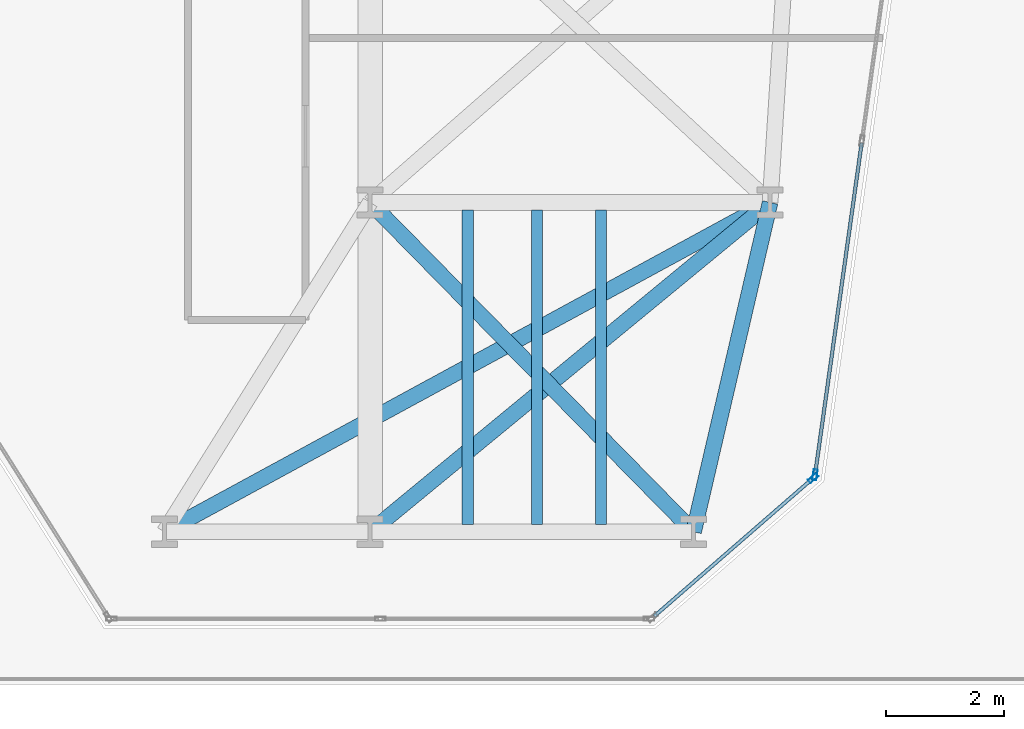
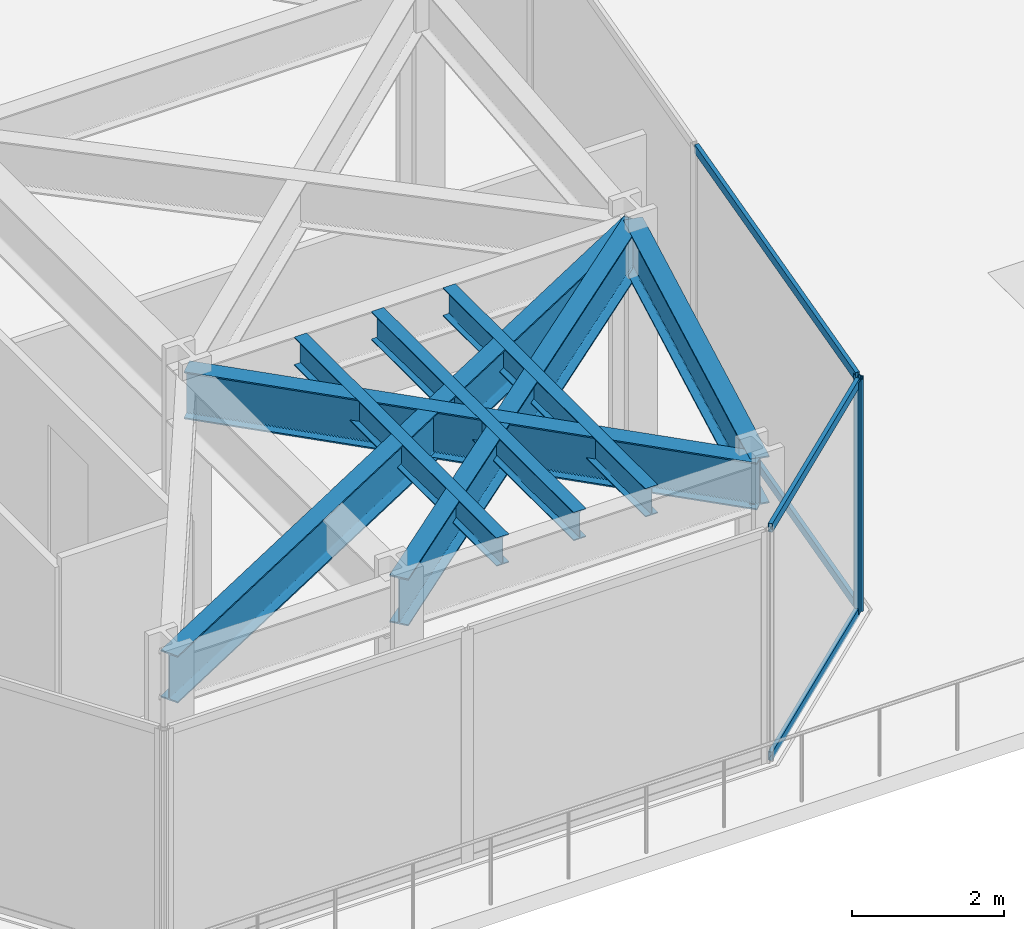
# One storey, part 9 of 25: 7 beams, 6 members, 2 elements without a shape of their own.
"""IFC4 building model written with IfcOpenShell, lengths in metres."""

from ifc_helpers import new_model, si_unit, direction, frame, origin, origin_2d, place, context, subcontext, project, spatial, hollow_rectangle, i_section, extrude, material, layer, layer_set, material_profile, profile_set, type_object, element, aggregate, save


model = new_model("IFC4")

# Units and contexts
model_context = context("Model", 3, precision=1e-05, world=origin(), true_north=direction((0.0, 1.0)))
body_context = subcontext(model_context, "Body", "Model", "MODEL_VIEW")
ifc_project = project(units=[si_unit("LENGTHUNIT", "METRE"), si_unit("AREAUNIT", "SQUARE_METRE"), si_unit("VOLUMEUNIT", "CUBIC_METRE"), si_unit("PLANEANGLEUNIT", "RADIAN"), si_unit("MASSUNIT", "GRAM", prefix="KILO")], contexts=[model_context])

# Site, building, storey
site_placement = place(None, origin())
site = spatial("IfcSite", under=ifc_project, at=site_placement, CompositionType="ELEMENT")
building_placement = place(site_placement, origin())
building = spatial("IfcBuilding", under=site, at=building_placement, Name="Kravanh Interchange Tower", CompositionType="ELEMENT")
storey_placement = place(building_placement, frame((0.0, 0.0, 29.5)))
storey = spatial("IfcBuildingStorey", under=building, at=storey_placement, Name="L06", CompositionType="ELEMENT", Elevation=29.5)

# Curtain wall, member
ifc_material_1 = material(Name="Anodised Bronze Aluminium", Category="aluminium")
ifc_layer = layer(ifc_material_1, 0.179931640625)
ifc_layer_set = layer_set([ifc_layer], Name="Unitised Curtain Wall System CW-Z1 Lower Office")
curtain_wall_type = type_object("IfcCurtainWallType", Name="Unitised Curtain Wall System CW-Z1 Lower Office", PredefinedType="NOTDEFINED", material=ifc_layer_set)
curtain_wall_1_placement = place(storey_placement, origin())
curtain_wall_1 = element("IfcCurtainWall", 1, at=curtain_wall_1_placement, inside=storey, type_object=curtain_wall_type, Name="L06 Unitised Curtain Wall CW-L06-01", PredefinedType="NOTDEFINED")
ifc_material_2 = material(Name="Anodised Bronze Aluminium", Category="aluminium")
ifc_material_profile_1 = material_profile(ifc_material_2, hollow_rectangle(XDim=0.070068359375, YDim=0.179931640625, WallThickness=0.00390625, at=origin_2d()), Name="ALU70X180X4")
ifc_profile_set_1 = profile_set([ifc_material_profile_1], Name="Anodised Bronze Aluminium")
member_type_1 = type_object("IfcMemberType", Name="Curtain Wall Mullion ALU70X180X4 Bronze", PredefinedType="MULLION", material=ifc_profile_set_1)
member_1_placement = place(storey_placement, frame((63.564453125, 3.571533203125, 0.0), z_axis=(0.0, 0.0, 1.0), x_axis=(0.990267585682, -0.139176538065, 0.0)))
member_1 = element("IfcMember", 2, at=member_1_placement, type_object=member_type_1, Name="CW-Z1 mullion 7", PredefinedType="MULLION", context=body_context, shape_type="SweptSolid", body=[
    extrude(hollow_rectangle(XDim=0.070068359375, YDim=0.179931640625, WallThickness=0.00390625, at=origin_2d()), origin(), (0.0, 0.0, 1.0), 3.739990234375),
])

curtain_wall_2_placement = place(storey_placement, origin())
curtain_wall_2 = element("IfcCurtainWall", 3, at=curtain_wall_2_placement, inside=storey, type_object=curtain_wall_type, Name="L06 Unitised Curtain Wall CW-L06-02", PredefinedType="NOTDEFINED")
member_2_placement = place(storey_placement, frame((63.533203125, 3.513916015625, 0.0), z_axis=(0.0, 0.0, 1.0), x_axis=(0.656060422341, -0.754708368999, 0.0)))
member_2 = element("IfcMember", 4, at=member_2_placement, type_object=member_type_1, Name="CW-Z1 mullion 1", PredefinedType="MULLION", context=body_context, shape_type="SweptSolid", body=[
    extrude(hollow_rectangle(XDim=0.070068359375, YDim=0.179931640625, WallThickness=0.00390625, at=origin_2d()), origin(), (0.0, 0.0, 1.0), 3.739990234375),
])

# Member
ifc_material_3 = material(Name="Anodised Bronze Aluminium", Category="aluminium")
ifc_material_profile_2 = material_profile(ifc_material_3, hollow_rectangle(XDim=0.06005859375, YDim=0.139892578125, WallThickness=0.00390625, at=origin_2d()), Name="ALU60X140X4")
ifc_profile_set_2 = profile_set([ifc_material_profile_2], Name="Anodised Bronze Aluminium")
member_type_2 = type_object("IfcMemberType", Name="Curtain Wall Transom ALU60X140X4 Bronze", PredefinedType="USERDEFINED", material=ifc_profile_set_2)
member_3_placement = place(storey_placement, frame((64.357421875, 9.212646484375, 0.030029296875), z_axis=(-0.139199330487, -0.990264382068, 0.0), x_axis=(0.990264382068, -0.139199330487, 0.0)))
member_3 = element("IfcMember", 5, at=member_3_placement, type_object=member_type_2, Name="CW-Z1 transom 6.1", ObjectType="TRANSOM", PredefinedType="USERDEFINED", context=body_context, shape_type="SweptSolid", body=[
    extrude(hollow_rectangle(XDim=0.06005859375, YDim=0.139892578125, WallThickness=0.00390625, at=origin_2d()), origin(), (0.0, 0.0, 1.0), 5.66162109375),
])

member_4_placement = place(storey_placement, frame((64.357421875, 9.212646484375, 3.7099609375), z_axis=(-0.139199330487, -0.990264382068, 0.0), x_axis=(0.990264382068, -0.139199330487, 0.0)))
member_4 = element("IfcMember", 6, at=member_4_placement, type_object=member_type_2, Name="CW-Z1 transom 6.2", ObjectType="TRANSOM", PredefinedType="USERDEFINED", context=body_context, shape_type="SweptSolid", body=[
    extrude(hollow_rectangle(XDim=0.06005859375, YDim=0.139892578125, WallThickness=0.00390625, at=origin_2d()), origin(), (0.0, 0.0, 1.0), 5.66162109375),
])

aggregate(curtain_wall_1, [member_1, member_3, member_4])

member_5_placement = place(storey_placement, frame((63.5068359375, 3.490966796875, 0.030029296875), z_axis=(-0.754710815466, -0.656057608004, 0.0), x_axis=(0.656057608004, -0.754710815466, 0.0)))
member_5 = element("IfcMember", 7, at=member_5_placement, type_object=member_type_2, Name="CW-Z1 transom 1.1", ObjectType="TRANSOM", PredefinedType="USERDEFINED", context=body_context, shape_type="SweptSolid", body=[
    extrude(hollow_rectangle(XDim=0.06005859375, YDim=0.139892578125, WallThickness=0.00390625, at=origin_2d()), origin(), (0.0, 0.0, 1.0), 3.543701171875),
])

member_6_placement = place(storey_placement, frame((63.5068359375, 3.490966796875, 3.7099609375), z_axis=(-0.754710815466, -0.656057608004, 0.0), x_axis=(0.656057608004, -0.754710815466, 0.0)))
member_6 = element("IfcMember", 8, at=member_6_placement, type_object=member_type_2, Name="CW-Z1 transom 1.2", ObjectType="TRANSOM", PredefinedType="USERDEFINED", context=body_context, shape_type="SweptSolid", body=[
    extrude(hollow_rectangle(XDim=0.06005859375, YDim=0.139892578125, WallThickness=0.00390625, at=origin_2d()), origin(), (0.0, 0.0, 1.0), 3.543701171875),
])

aggregate(curtain_wall_2, [member_2, member_5, member_6])

# Beams
ifc_material_4 = material(Name="Structural Steel S355", Category="steel")
ifc_material_profile_3 = material_profile(ifc_material_4, i_section(OverallWidth=0.18994140625, OverallDepth=0.45703125, WebThickness=0.009033203125, FlangeThickness=0.014404296875, FilletRadius=0.01806640625, at=origin_2d()), Name="W18X50")
ifc_profile_set_3 = profile_set([ifc_material_profile_3], Name="Structural Steel S355")
beam_type_1 = type_object("IfcBeamType", Name="Floor Joist W18X50 Structural Steel S355", PredefinedType="JOIST", material=ifc_profile_set_3)
for number, where, z_axis, x_axis, name in (
    (9, (57.657958984375, 2.728515625, 3.511474609375), (0.0, 1.0, 0.0), (-1.0, 0.0, 0.0), "L06 Secondary Floor Joist 7"),
    (10, (58.833984375, 2.728515625, 3.511474609375), (0.0, 1.0, 0.0), (-1.0, 0.0, 0.0), "L06 Secondary Floor Joist 8"),
    (11, (59.926025390625, 2.728515625, 3.511474609375), (0.0, 1.0, 0.0), (-1.0, 0.0, 0.0), "L06 Secondary Floor Joist 9"),
):
    element("IfcBeam", number, at=place(storey_placement, frame(where, z_axis=z_axis, x_axis=x_axis)), inside=storey, type_object=beam_type_1, Name=name, PredefinedType="JOIST", context=body_context, shape_type="SweptSolid", body=[
        extrude(i_section(OverallWidth=0.18994140625, OverallDepth=0.45703125, WebThickness=0.009033203125, FlangeThickness=0.014404296875, FilletRadius=0.01806640625, at=origin_2d()), origin(), (0.0, 0.0, 1.0), 5.343017578125),
    ])
ifc_material_5 = material(Name="Structural Steel S355", Category="steel")
ifc_material_profile_4 = material_profile(ifc_material_5, i_section(OverallWidth=0.26708984375, OverallDepth=0.761962890625, WebThickness=0.014404296875, FlangeThickness=0.021484375, FilletRadius=0.02490234375, at=origin_2d()), Name="W30X116")
ifc_profile_set_4 = profile_set([ifc_material_profile_4], Name="Structural Steel S355")
beam_type_2 = type_object("IfcBeamType", Name="Floor Spandrel W30X116 Structural Steel S355", PredefinedType="SPANDREL", material=ifc_profile_set_4)
beam_1_placement = place(storey_placement, frame((52.5, 2.60009765625, 3.35888671875), z_axis=(0.878552895081, 0.47764506754, 0.0), x_axis=(-0.47764506754, 0.878552895081, 0.0)))
element("IfcBeam", 12, at=beam_1_placement, inside=storey, type_object=beam_type_2, Name="L06 Perimeter Spandrel 127", PredefinedType="SPANDREL", context=body_context, shape_type="SweptSolid", body=[
    extrude(i_section(OverallWidth=0.26708984375, OverallDepth=0.761962890625, WebThickness=0.014404296875, FlangeThickness=0.021484375, FilletRadius=0.02490234375, at=origin_2d()), origin(), (0.0, 0.0, 1.0), 11.723876953125),
])
beam_2_placement = place(storey_placement, frame((56.0, 2.60009765625, 3.35888671875), z_axis=(0.771940635711, 0.635694623965, 0.0), x_axis=(-0.635694623965, 0.771940635711, 0.0)))
element("IfcBeam", 13, at=beam_2_placement, inside=storey, type_object=beam_type_2, Name="L06 Perimeter Spandrel 130", PredefinedType="SPANDREL", context=body_context, shape_type="SweptSolid", body=[
    extrude(i_section(OverallWidth=0.26708984375, OverallDepth=0.761962890625, WebThickness=0.014404296875, FlangeThickness=0.021484375, FilletRadius=0.02490234375, at=origin_2d()), origin(), (0.0, 0.0, 1.0), 8.80908203125),
])
beam_3_placement = place(storey_placement, frame((61.5, 2.60009765625, 3.35888671875), z_axis=(0.226143379252, 0.974094026273, 0.0), x_axis=(-0.974094026273, 0.226143379252, 0.0)))
element("IfcBeam", 14, at=beam_3_placement, inside=storey, type_object=beam_type_2, Name="L06 Perimeter Spandrel 131", PredefinedType="SPANDREL", context=body_context, shape_type="SweptSolid", body=[
    extrude(i_section(OverallWidth=0.26708984375, OverallDepth=0.761962890625, WebThickness=0.014404296875, FlangeThickness=0.021484375, FilletRadius=0.02490234375, at=origin_2d()), origin(), (0.0, 0.0, 1.0), 5.748779296875),
])
beam_4_placement = place(storey_placement, frame((61.5, 2.60009765625, 3.35888671875), z_axis=(-0.700717344595, 0.71343899738, 0.0), x_axis=(-0.71343899738, -0.700717344595, 0.0)))
element("IfcBeam", 15, at=beam_4_placement, inside=storey, type_object=beam_type_2, Name="L06 Perimeter Spandrel 132", PredefinedType="SPANDREL", context=body_context, shape_type="SweptSolid", body=[
    extrude(i_section(OverallWidth=0.26708984375, OverallDepth=0.761962890625, WebThickness=0.014404296875, FlangeThickness=0.021484375, FilletRadius=0.02490234375, at=origin_2d()), origin(), (0.0, 0.0, 1.0), 7.84912109375),
])

save(model, "model.ifc")
